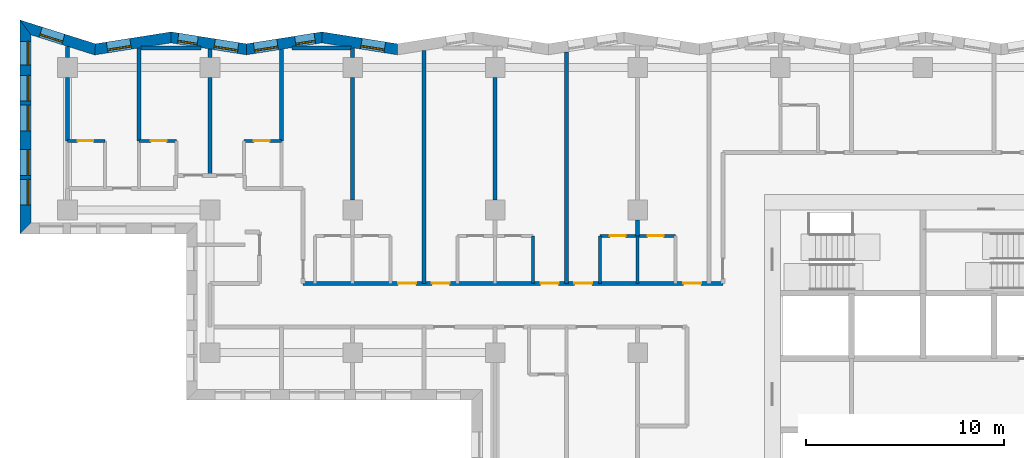
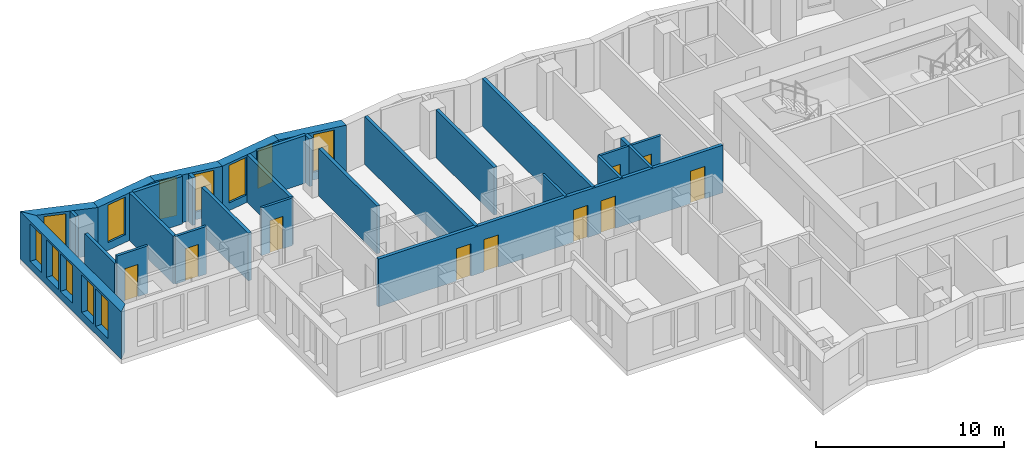
# One storey, part 5 of 13: 28 walls, 12 windows, 10 doors, 22 openings.
"""IFC4 building model written with IfcOpenShell, lengths in metres."""

from ifc_helpers import new_model, si_unit, direction, frame, frame_2d, origin, place, context, subcontext, project, spatial, polyline, rectangle, outline, extrude, material, layer, layer_set, type_object, element, fill, save


model = new_model("IFC4")

# Units and contexts
model_context = context("Model", 3, precision=1e-05, world=origin(), true_north=direction((0.0, 1.0)))
body_context = subcontext(model_context, "Body", "Model", "MODEL_VIEW")
ifc_project = project(units=[si_unit("LENGTHUNIT", "METRE"), si_unit("AREAUNIT", "SQUARE_METRE"), si_unit("VOLUMEUNIT", "CUBIC_METRE"), si_unit("PLANEANGLEUNIT", "RADIAN"), si_unit("MASSUNIT", "GRAM", prefix="KILO")], contexts=[model_context])

# Site, building, storey
site_placement = place(None, origin())
site = spatial("IfcSite", under=ifc_project, at=site_placement, CompositionType="ELEMENT")
building_placement = place(site_placement, origin())
building = spatial("IfcBuilding", under=site, at=building_placement, Name="Windrow Commons", CompositionType="ELEMENT")
storey_placement = place(building_placement, frame((0.0, 0.0, 115.2)))
storey = spatial("IfcBuildingStorey", under=building, at=storey_placement, Name="L31", CompositionType="ELEMENT", Elevation=115.2)

# Wall, opening, window
ifc_material_1 = material(Name="Brick masonry, red clay brick", Category="masonry")
ifc_layer_1 = layer(ifc_material_1, 0.55)
ifc_layer_set_1 = layer_set([ifc_layer_1], Name="Brick facade wall 550")
wall_type_1 = type_object("IfcWallType", Name="Brick facade wall 550", PredefinedType="SOLIDWALL", material=ifc_layer_set_1)
wall_1_placement = place(storey_placement, frame((38.259, 72.9216, 0.0), z_axis=(0.0, 0.0, 1.0), x_axis=(-0.9877213372, 0.1562259905, 0.0)))
wall_1 = element("IfcWall", 1, at=wall_1_placement, inside=storey, type_object=wall_type_1, Name="Brick facade wall L31 32", PredefinedType="SOLIDWALL", context=body_context, shape_type="SweptSolid", body=[
    extrude(outline(polyline([(0.0435, -0.275), (3.9033, -0.275), (3.8163, 0.275), (-0.0435, 0.275), (0.0435, -0.275)])), origin(), (0.0, 0.0, 1.0), 3.1),
])
opening_1_placement = place(wall_1_placement, frame((0.6435, 0.0, 0.5)))
opening_1 = element("IfcOpeningElement", 2, at=opening_1_placement, cuts=wall_1, Name="Opening W7D", PredefinedType="OPENING", context=body_context, shape_type="SweptSolid", body=[
    extrude(rectangle(XDim=1.2, YDim=2.45, at=frame_2d((0.6, 1.225))), frame((0.0, 0.285, 0.0), z_axis=(0.0, -1.0, 0.0), x_axis=(1.0, 0.0, 0.0)), (0.0, 0.0, 1.0), 0.57),
])
ifc_material_2 = material(Name="Clear float glass in anodised aluminium frame", Category="aluminium")
window_type_1 = type_object("IfcWindowType", Name="Window W7 notch 1200x2450", PartitioningType="SINGLE_PANEL", PredefinedType="WINDOW", material=ifc_material_2)
window_1_placement = place(opening_1_placement, origin())
window_1 = element("IfcWindow", 3, at=window_1_placement, inside=storey, type_object=window_type_1, Name="Window L31 32.1", OverallHeight=2.45, OverallWidth=1.2, PartitioningType="SINGLE_PANEL", PredefinedType="WINDOW", context=body_context, shape_type="SweptSolid", body=[
    extrude(rectangle(XDim=1.2, YDim=2.45, at=frame_2d((0.6, 1.225))), frame((0.0, 0.155, 0.0), z_axis=(0.0, -1.0, 0.0), x_axis=(1.0, 0.0, 0.0)), (0.0, 0.0, 1.0), 0.06),
])
fill(opening_1, window_1)

# Wall, openings, windows
wall_2_placement = place(storey_placement, frame((34.4466, 73.5246, 0.0), z_axis=(0.0, 0.0, 1.0), x_axis=(-0.9877213372, -0.1562259905, 0.0)))
wall_2 = element("IfcWall", 4, at=wall_2_placement, inside=storey, type_object=wall_type_1, Name="Brick facade wall L31 33", PredefinedType="SOLIDWALL", context=body_context, shape_type="SweptSolid", body=[
    extrude(outline(polyline([(-0.0435, -0.275), (3.8163, -0.275), (3.9033, 0.275), (0.0435, 0.275), (-0.0435, -0.275)])), origin(), (0.0, 0.0, 1.0), 3.1),
])
opening_2_placement = place(wall_2_placement, frame((2.2659, 0.0, 0.5)))
opening_2 = element("IfcOpeningElement", 5, at=opening_2_placement, cuts=wall_2, Name="Opening W7D", PredefinedType="OPENING", context=body_context, shape_type="SweptSolid", body=[
    extrude(rectangle(XDim=1.2, YDim=2.45, at=frame_2d((0.6, 1.225))), frame((0.0, 0.285, 0.0), z_axis=(0.0, -1.0, 0.0), x_axis=(1.0, 0.0, 0.0)), (0.0, 0.0, 1.0), 0.57),
])
opening_3_placement = place(wall_2_placement, frame((0.36, 0.0, 0.45)))
opening_3 = element("IfcOpeningElement", 6, at=opening_3_placement, cuts=wall_2, Name="Opening W1S", PredefinedType="OPENING", context=body_context, shape_type="SweptSolid", body=[
    extrude(rectangle(XDim=1.0, YDim=2.5, at=frame_2d((0.5, 1.25))), frame((0.0, 0.285, 0.0), z_axis=(0.0, -1.0, 0.0), x_axis=(1.0, 0.0, 0.0)), (0.0, 0.0, 1.0), 0.57),
])
ifc_material_3 = material(Name="Clear float glass in anodised aluminium frame", Category="aluminium")
window_type_2 = type_object("IfcWindowType", Name="Window W1S slit 1000x2500", PartitioningType="SINGLE_PANEL", PredefinedType="WINDOW", material=ifc_material_3)
window_2_placement = place(opening_3_placement, origin())
window_2 = element("IfcWindow", 7, at=window_2_placement, inside=storey, type_object=window_type_2, Name="Window L31 33.1A", OverallHeight=2.5, OverallWidth=1.0, PartitioningType="SINGLE_PANEL", PredefinedType="WINDOW", context=body_context, shape_type="SweptSolid", body=[
    extrude(rectangle(XDim=1.0, YDim=2.5, at=frame_2d((0.5, 1.25))), frame((0.0, 0.155, 0.0), z_axis=(0.0, -1.0, 0.0), x_axis=(1.0, 0.0, 0.0)), (0.0, 0.0, 1.0), 0.06),
])
fill(opening_3, window_2)
window_3_placement = place(opening_2_placement, origin())
window_3 = element("IfcWindow", 8, at=window_3_placement, inside=storey, type_object=window_type_1, Name="Window L31 33.2", OverallHeight=2.45, OverallWidth=1.2, PartitioningType="SINGLE_PANEL", PredefinedType="WINDOW", context=body_context, shape_type="SweptSolid", body=[
    extrude(rectangle(XDim=1.2, YDim=2.45, at=frame_2d((0.6, 1.225))), frame((0.0, 0.155, 0.0), z_axis=(0.0, -1.0, 0.0), x_axis=(1.0, 0.0, 0.0)), (0.0, 0.0, 1.0), 0.06),
])
fill(opening_2, window_3)

wall_3_placement = place(storey_placement, frame((30.6342, 72.9216, 0.0), z_axis=(0.0, 0.0, 1.0), x_axis=(-0.9877213372, 0.1562259905, 0.0)))
wall_3 = element("IfcWall", 9, at=wall_3_placement, inside=storey, type_object=wall_type_1, Name="Brick facade wall L31 34", PredefinedType="SOLIDWALL", context=body_context, shape_type="SweptSolid", body=[
    extrude(outline(polyline([(0.0435, -0.275), (3.9033, -0.275), (3.8163, 0.275), (-0.0435, 0.275), (0.0435, -0.275)])), origin(), (0.0, 0.0, 1.0), 3.1),
])
opening_4_placement = place(wall_3_placement, frame((0.4285, 0.0, 0.5)))
opening_4 = element("IfcOpeningElement", 10, at=opening_4_placement, cuts=wall_3, Name="Opening W7D", PredefinedType="OPENING", context=body_context, shape_type="SweptSolid", body=[
    extrude(rectangle(XDim=1.2, YDim=2.45, at=frame_2d((0.6, 1.225))), frame((0.0, 0.285, 0.0), z_axis=(0.0, -1.0, 0.0), x_axis=(1.0, 0.0, 0.0)), (0.0, 0.0, 1.0), 0.57),
])
opening_5_placement = place(wall_3_placement, frame((2.4999, 0.0, 0.45)))
opening_5 = element("IfcOpeningElement", 11, at=opening_5_placement, cuts=wall_3, Name="Opening W1S", PredefinedType="OPENING", context=body_context, shape_type="SweptSolid", body=[
    extrude(rectangle(XDim=1.0, YDim=2.5, at=frame_2d((0.5, 1.25))), frame((0.0, 0.285, 0.0), z_axis=(0.0, -1.0, 0.0), x_axis=(1.0, 0.0, 0.0)), (0.0, 0.0, 1.0), 0.57),
])
window_4_placement = place(opening_5_placement, origin())
window_4 = element("IfcWindow", 12, at=window_4_placement, inside=storey, type_object=window_type_2, Name="Window L31 34.2A", OverallHeight=2.5, OverallWidth=1.0, PartitioningType="SINGLE_PANEL", PredefinedType="WINDOW", context=body_context, shape_type="SweptSolid", body=[
    extrude(rectangle(XDim=1.0, YDim=2.5, at=frame_2d((0.5, 1.25))), frame((0.0, 0.155, 0.0), z_axis=(0.0, -1.0, 0.0), x_axis=(1.0, 0.0, 0.0)), (0.0, 0.0, 1.0), 0.06),
])
fill(opening_5, window_4)
window_5_placement = place(opening_4_placement, origin())
window_5 = element("IfcWindow", 13, at=window_5_placement, inside=storey, type_object=window_type_1, Name="Window L31 34.1", OverallHeight=2.45, OverallWidth=1.2, PartitioningType="SINGLE_PANEL", PredefinedType="WINDOW", context=body_context, shape_type="SweptSolid", body=[
    extrude(rectangle(XDim=1.2, YDim=2.45, at=frame_2d((0.6, 1.225))), frame((0.0, 0.155, 0.0), z_axis=(0.0, -1.0, 0.0), x_axis=(1.0, 0.0, 0.0)), (0.0, 0.0, 1.0), 0.06),
])
fill(opening_4, window_5)

# Wall, opening, window
wall_4_placement = place(storey_placement, frame((26.8218, 73.5246, 0.0), z_axis=(0.0, 0.0, 1.0), x_axis=(-0.9877221932, -0.1562205785, 0.0)))
wall_4 = element("IfcWall", 14, at=wall_4_placement, inside=storey, type_object=wall_type_1, Name="Brick facade wall L31 35", PredefinedType="SOLIDWALL", context=body_context, shape_type="SweptSolid", body=[
    extrude(outline(polyline([(-0.0435, -0.275), (3.8163, -0.275), (3.9458, 0.275), (0.0435, 0.275), (-0.0435, -0.275)])), origin(), (0.0, 0.0, 1.0), 3.1),
])
opening_6_placement = place(wall_4_placement, frame((2.0615, 0.0, 0.5)))
opening_6 = element("IfcOpeningElement", 15, at=opening_6_placement, cuts=wall_4, Name="Opening W7D", PredefinedType="OPENING", context=body_context, shape_type="SweptSolid", body=[
    extrude(rectangle(XDim=1.2, YDim=2.45, at=frame_2d((0.6, 1.225))), frame((0.0, 0.285, 0.0), z_axis=(0.0, -1.0, 0.0), x_axis=(1.0, 0.0, 0.0)), (0.0, 0.0, 1.0), 0.57),
])
window_6_placement = place(opening_6_placement, origin())
window_6 = element("IfcWindow", 16, at=window_6_placement, inside=storey, type_object=window_type_1, Name="Window L31 35.1", OverallHeight=2.45, OverallWidth=1.2, PartitioningType="SINGLE_PANEL", PredefinedType="WINDOW", context=body_context, shape_type="SweptSolid", body=[
    extrude(rectangle(XDim=1.2, YDim=2.45, at=frame_2d((0.6, 1.225))), frame((0.0, 0.155, 0.0), z_axis=(0.0, -1.0, 0.0), x_axis=(1.0, 0.0, 0.0)), (0.0, 0.0, 1.0), 0.06),
])
fill(opening_6, window_6)

wall_5_placement = place(storey_placement, frame((22.9884, 72.9183, 0.0), z_axis=(0.0, 0.0, 1.0), x_axis=(-0.9536482224, 0.3009236912, 0.0)))
wall_5 = element("IfcWall", 17, at=wall_5_placement, inside=storey, type_object=wall_type_1, Name="Brick facade wall L31 36", PredefinedType="SOLIDWALL", context=body_context, shape_type="SweptSolid", body=[
    extrude(outline(polyline([(0.0648, -0.275), (4.0625, -0.275), (3.3122, 0.275), (-0.0648, 0.275), (0.0648, -0.275)])), origin(), (0.0, 0.0, 1.0), 3.1),
])
opening_7_placement = place(wall_5_placement, frame((1.684, 0.0, 0.5)))
opening_7 = element("IfcOpeningElement", 18, at=opening_7_placement, cuts=wall_5, Name="Opening W7D", PredefinedType="OPENING", context=body_context, shape_type="SweptSolid", body=[
    extrude(rectangle(XDim=1.2, YDim=2.45, at=frame_2d((0.6, 1.225))), frame((0.0, 0.285, 0.0), z_axis=(0.0, -1.0, 0.0), x_axis=(1.0, 0.0, 0.0)), (0.0, 0.0, 1.0), 0.57),
])
window_7_placement = place(opening_7_placement, origin())
window_7 = element("IfcWindow", 19, at=window_7_placement, inside=storey, type_object=window_type_1, Name="Window L31 36.1", OverallHeight=2.45, OverallWidth=1.2, PartitioningType="SINGLE_PANEL", PredefinedType="WINDOW", context=body_context, shape_type="SweptSolid", body=[
    extrude(rectangle(XDim=1.2, YDim=2.45, at=frame_2d((0.6, 1.225))), frame((0.0, 0.155, 0.0), z_axis=(0.0, -1.0, 0.0), x_axis=(1.0, 0.0, 0.0)), (0.0, 0.0, 1.0), 0.06),
])
fill(opening_7, window_7)

# Wall, openings, windows
wall_6_placement = place(storey_placement, frame((19.472, 74.0279, 0.0), z_axis=(0.0, 0.0, 1.0), x_axis=(0.0, -1.0, 0.0)))
wall_6 = element("IfcWall", 20, at=wall_6_placement, inside=storey, type_object=wall_type_1, Name="Brick facade wall L31 37", PredefinedType="SOLIDWALL", context=body_context, shape_type="SweptSolid", body=[
    extrude(outline(polyline([(-0.3751, -0.275), (10.4279, -0.275), (9.8779, 0.275), (0.3751, 0.275), (-0.3751, -0.275)])), origin(), (0.0, 0.0, 1.0), 3.1),
])
opening_8_placement = place(wall_6_placement, frame((2.4279, 0.0, 0.5)))
opening_8 = element("IfcOpeningElement", 21, at=opening_8_placement, cuts=wall_6, Name="Opening W1P", PredefinedType="OPENING", context=body_context, shape_type="SweptSolid", body=[
    extrude(rectangle(XDim=1.3, YDim=2.45, at=frame_2d((0.65, 1.225))), frame((0.0, 0.285, 0.0), z_axis=(0.0, -1.0, 0.0), x_axis=(1.0, 0.0, 0.0)), (0.0, 0.0, 1.0), 0.57),
])
opening_9_placement = place(wall_6_placement, frame((3.9279, 0.0, 0.5)))
opening_9 = element("IfcOpeningElement", 22, at=opening_9_placement, cuts=wall_6, Name="Opening W1P", PredefinedType="OPENING", context=body_context, shape_type="SweptSolid", body=[
    extrude(rectangle(XDim=1.3, YDim=2.45, at=frame_2d((0.65, 1.225))), frame((0.0, 0.285, 0.0), z_axis=(0.0, -1.0, 0.0), x_axis=(1.0, 0.0, 0.0)), (0.0, 0.0, 1.0), 0.57),
])
opening_10_placement = place(wall_6_placement, frame((6.1779, 0.0, 0.5)))
opening_10 = element("IfcOpeningElement", 23, at=opening_10_placement, cuts=wall_6, Name="Opening W1P", PredefinedType="OPENING", context=body_context, shape_type="SweptSolid", body=[
    extrude(rectangle(XDim=1.3, YDim=2.45, at=frame_2d((0.65, 1.225))), frame((0.0, 0.285, 0.0), z_axis=(0.0, -1.0, 0.0), x_axis=(1.0, 0.0, 0.0)), (0.0, 0.0, 1.0), 0.57),
])
opening_11_placement = place(wall_6_placement, frame((7.6779, 0.0, 0.5)))
opening_11 = element("IfcOpeningElement", 24, at=opening_11_placement, cuts=wall_6, Name="Opening W1P", PredefinedType="OPENING", context=body_context, shape_type="SweptSolid", body=[
    extrude(rectangle(XDim=1.3, YDim=2.45, at=frame_2d((0.65, 1.225))), frame((0.0, 0.285, 0.0), z_axis=(0.0, -1.0, 0.0), x_axis=(1.0, 0.0, 0.0)), (0.0, 0.0, 1.0), 0.57),
])
opening_12_placement = place(wall_6_placement, frame((0.7015, 0.0, 0.5)))
opening_12 = element("IfcOpeningElement", 25, at=opening_12_placement, cuts=wall_6, Name="Opening W7D", PredefinedType="OPENING", context=body_context, shape_type="SweptSolid", body=[
    extrude(rectangle(XDim=1.2, YDim=2.45, at=frame_2d((0.6, 1.225))), frame((0.0, 0.285, 0.0), z_axis=(0.0, -1.0, 0.0), x_axis=(1.0, 0.0, 0.0)), (0.0, 0.0, 1.0), 0.57),
])
ifc_material_4 = material(Name="Clear float glass in anodised aluminium frame", Category="aluminium")
window_type_3 = type_object("IfcWindowType", Name="Window W1P pair 1300x2450", PartitioningType="SINGLE_PANEL", PredefinedType="WINDOW", material=ifc_material_4)
window_8_placement = place(opening_8_placement, origin())
window_8 = element("IfcWindow", 26, at=window_8_placement, inside=storey, type_object=window_type_3, Name="Window L31 37.1A", OverallHeight=2.45, OverallWidth=1.3, PartitioningType="SINGLE_PANEL", PredefinedType="WINDOW", context=body_context, shape_type="SweptSolid", body=[
    extrude(rectangle(XDim=1.3, YDim=2.45, at=frame_2d((0.65, 1.225))), frame((0.0, 0.155, 0.0), z_axis=(0.0, -1.0, 0.0), x_axis=(1.0, 0.0, 0.0)), (0.0, 0.0, 1.0), 0.06),
])
fill(opening_8, window_8)
window_9_placement = place(opening_9_placement, origin())
window_9 = element("IfcWindow", 27, at=window_9_placement, inside=storey, type_object=window_type_3, Name="Window L31 37.1B", OverallHeight=2.45, OverallWidth=1.3, PartitioningType="SINGLE_PANEL", PredefinedType="WINDOW", context=body_context, shape_type="SweptSolid", body=[
    extrude(rectangle(XDim=1.3, YDim=2.45, at=frame_2d((0.65, 1.225))), frame((0.0, 0.155, 0.0), z_axis=(0.0, -1.0, 0.0), x_axis=(1.0, 0.0, 0.0)), (0.0, 0.0, 1.0), 0.06),
])
fill(opening_9, window_9)
window_10_placement = place(opening_10_placement, origin())
window_10 = element("IfcWindow", 28, at=window_10_placement, inside=storey, type_object=window_type_3, Name="Window L31 37.2A", OverallHeight=2.45, OverallWidth=1.3, PartitioningType="SINGLE_PANEL", PredefinedType="WINDOW", context=body_context, shape_type="SweptSolid", body=[
    extrude(rectangle(XDim=1.3, YDim=2.45, at=frame_2d((0.65, 1.225))), frame((0.0, 0.155, 0.0), z_axis=(0.0, -1.0, 0.0), x_axis=(1.0, 0.0, 0.0)), (0.0, 0.0, 1.0), 0.06),
])
fill(opening_10, window_10)
window_11_placement = place(opening_11_placement, origin())
window_11 = element("IfcWindow", 29, at=window_11_placement, inside=storey, type_object=window_type_3, Name="Window L31 37.2B", OverallHeight=2.45, OverallWidth=1.3, PartitioningType="SINGLE_PANEL", PredefinedType="WINDOW", context=body_context, shape_type="SweptSolid", body=[
    extrude(rectangle(XDim=1.3, YDim=2.45, at=frame_2d((0.65, 1.225))), frame((0.0, 0.155, 0.0), z_axis=(0.0, -1.0, 0.0), x_axis=(1.0, 0.0, 0.0)), (0.0, 0.0, 1.0), 0.06),
])
fill(opening_11, window_11)
window_12_placement = place(opening_12_placement, origin())
window_12 = element("IfcWindow", 30, at=window_12_placement, inside=storey, type_object=window_type_1, Name="Window L31 37.3", OverallHeight=2.45, OverallWidth=1.2, PartitioningType="SINGLE_PANEL", PredefinedType="WINDOW", context=body_context, shape_type="SweptSolid", body=[
    extrude(rectangle(XDim=1.2, YDim=2.45, at=frame_2d((0.6, 1.225))), frame((0.0, 0.155, 0.0), z_axis=(0.0, -1.0, 0.0), x_axis=(1.0, 0.0, 0.0)), (0.0, 0.0, 1.0), 0.06),
])
fill(opening_12, window_12)

# Wall, openings, doors
ifc_material_5 = material(Name="Blockwork partition", Category="masonry")
ifc_layer_2 = layer(ifc_material_5, 0.2)
ifc_layer_set_2 = layer_set([ifc_layer_2], Name="IW-CORRIDOR-200")
wall_type_2 = type_object("IfcWallType", Name="IW-CORRIDOR-200", PredefinedType="PARTITIONING", material=ifc_layer_set_2)
wall_7_placement = place(storey_placement, frame((33.502, 61.1, 0.0), z_axis=(0.0, 0.0, 1.0), x_axis=(1.0, 0.0, 0.0)))
wall_7 = element("IfcWall", 31, at=wall_7_placement, inside=storey, type_object=wall_type_2, Name="W-L31-W001", PredefinedType="PARTITIONING", context=body_context, shape_type="SweptSolid", body=[
    extrude(rectangle(XDim=21.198, YDim=0.2, at=frame_2d((10.599, 0.0))), origin(), (0.0, 0.0, 1.0), 3.1),
])
opening_13_placement = place(wall_7_placement, frame((4.798, 0.0, 0.0)))
opening_13 = element("IfcOpeningElement", 32, at=opening_13_placement, cuts=wall_7, Name="Opening D109S", PredefinedType="OPENING", context=body_context, shape_type="SweptSolid", body=[
    extrude(rectangle(XDim=0.9, YDim=2.1, at=frame_2d((0.45, 1.05))), frame((0.0, 0.11, 0.0), z_axis=(0.0, -1.0, 0.0), x_axis=(1.0, 0.0, 0.0)), (0.0, 0.0, 1.0), 0.22),
])
opening_14_placement = place(wall_7_placement, frame((6.498, 0.0, 0.0)))
opening_14 = element("IfcOpeningElement", 33, at=opening_14_placement, cuts=wall_7, Name="Opening D109S", PredefinedType="OPENING", context=body_context, shape_type="SweptSolid", body=[
    extrude(rectangle(XDim=0.9, YDim=2.1, at=frame_2d((0.45, 1.05))), frame((0.0, 0.11, 0.0), z_axis=(0.0, -1.0, 0.0), x_axis=(1.0, 0.0, 0.0)), (0.0, 0.0, 1.0), 0.22),
])
opening_15_placement = place(wall_7_placement, frame((11.998, 0.0, 0.0)))
opening_15 = element("IfcOpeningElement", 34, at=opening_15_placement, cuts=wall_7, Name="Opening D109S", PredefinedType="OPENING", context=body_context, shape_type="SweptSolid", body=[
    extrude(rectangle(XDim=0.9, YDim=2.1, at=frame_2d((0.45, 1.05))), frame((0.0, 0.11, 0.0), z_axis=(0.0, -1.0, 0.0), x_axis=(1.0, 0.0, 0.0)), (0.0, 0.0, 1.0), 0.22),
])
opening_16_placement = place(wall_7_placement, frame((13.698, 0.0, 0.0)))
opening_16 = element("IfcOpeningElement", 35, at=opening_16_placement, cuts=wall_7, Name="Opening D109S", PredefinedType="OPENING", context=body_context, shape_type="SweptSolid", body=[
    extrude(rectangle(XDim=0.9, YDim=2.1, at=frame_2d((0.45, 1.05))), frame((0.0, 0.11, 0.0), z_axis=(0.0, -1.0, 0.0), x_axis=(1.0, 0.0, 0.0)), (0.0, 0.0, 1.0), 0.22),
])
opening_17_placement = place(wall_7_placement, frame((19.198, 0.0, 0.0)))
opening_17 = element("IfcOpeningElement", 36, at=opening_17_placement, cuts=wall_7, Name="Opening D109S", PredefinedType="OPENING", context=body_context, shape_type="SweptSolid", body=[
    extrude(rectangle(XDim=0.9, YDim=2.1, at=frame_2d((0.45, 1.05))), frame((0.0, 0.11, 0.0), z_axis=(0.0, -1.0, 0.0), x_axis=(1.0, 0.0, 0.0)), (0.0, 0.0, 1.0), 0.22),
])
ifc_material_6 = material(Name="Timber door leaf", Category="wood")
door_type_1 = type_object("IfcDoorType", Name="DT-BEDROOM-900", OperationType="SINGLE_SWING_LEFT", PredefinedType="DOOR", material=ifc_material_6)
door_1_placement = place(opening_13_placement, origin())
door_1 = element("IfcDoor", 37, at=door_1_placement, inside=storey, type_object=door_type_1, Name="D-L31-D027", OperationType="SINGLE_SWING_RIGHT", OverallHeight=2.1, OverallWidth=0.9, PredefinedType="DOOR", context=body_context, shape_type="SweptSolid", body=[
    extrude(rectangle(XDim=0.9, YDim=2.1, at=frame_2d((0.45, 1.05))), frame((0.0, 0.025, 0.0), z_axis=(0.0, -1.0, 0.0), x_axis=(1.0, 0.0, 0.0)), (0.0, 0.0, 1.0), 0.05),
])
fill(opening_13, door_1)
door_2_placement = place(opening_14_placement, origin())
door_2 = element("IfcDoor", 38, at=door_2_placement, inside=storey, type_object=door_type_1, Name="D-L31-D029", OperationType="SINGLE_SWING_LEFT", OverallHeight=2.1, OverallWidth=0.9, PredefinedType="DOOR", context=body_context, shape_type="SweptSolid", body=[
    extrude(rectangle(XDim=0.9, YDim=2.1, at=frame_2d((0.45, 1.05))), frame((0.0, 0.025, 0.0), z_axis=(0.0, -1.0, 0.0), x_axis=(1.0, 0.0, 0.0)), (0.0, 0.0, 1.0), 0.05),
])
fill(opening_14, door_2)
door_3_placement = place(opening_15_placement, origin())
door_3 = element("IfcDoor", 39, at=door_3_placement, inside=storey, type_object=door_type_1, Name="D-L31-D031", OperationType="SINGLE_SWING_RIGHT", OverallHeight=2.1, OverallWidth=0.9, PredefinedType="DOOR", context=body_context, shape_type="SweptSolid", body=[
    extrude(rectangle(XDim=0.9, YDim=2.1, at=frame_2d((0.45, 1.05))), frame((0.0, 0.025, 0.0), z_axis=(0.0, -1.0, 0.0), x_axis=(1.0, 0.0, 0.0)), (0.0, 0.0, 1.0), 0.05),
])
fill(opening_15, door_3)
door_4_placement = place(opening_16_placement, origin())
door_4 = element("IfcDoor", 40, at=door_4_placement, inside=storey, type_object=door_type_1, Name="D-L31-D033", OperationType="SINGLE_SWING_LEFT", OverallHeight=2.1, OverallWidth=0.9, PredefinedType="DOOR", context=body_context, shape_type="SweptSolid", body=[
    extrude(rectangle(XDim=0.9, YDim=2.1, at=frame_2d((0.45, 1.05))), frame((0.0, 0.025, 0.0), z_axis=(0.0, -1.0, 0.0), x_axis=(1.0, 0.0, 0.0)), (0.0, 0.0, 1.0), 0.05),
])
fill(opening_16, door_4)
door_5_placement = place(opening_17_placement, origin())
door_5 = element("IfcDoor", 41, at=door_5_placement, inside=storey, type_object=door_type_1, Name="D-L31-D035", OperationType="SINGLE_SWING_RIGHT", OverallHeight=2.1, OverallWidth=0.9, PredefinedType="DOOR", context=body_context, shape_type="SweptSolid", body=[
    extrude(rectangle(XDim=0.9, YDim=2.1, at=frame_2d((0.45, 1.05))), frame((0.0, 0.025, 0.0), z_axis=(0.0, -1.0, 0.0), x_axis=(1.0, 0.0, 0.0)), (0.0, 0.0, 1.0), 0.05),
])
fill(opening_17, door_5)

ifc_material_7 = material(Name="Blockwork partition", Category="masonry")
ifc_layer_3 = layer(ifc_material_7, 0.15)
ifc_layer_set_3 = layer_set([ifc_layer_3], Name="IW-ENSUITE-150")
wall_type_3 = type_object("IfcWallType", Name="IW-ENSUITE-150", PredefinedType="PARTITIONING", material=ifc_layer_set_3)
wall_8_placement = place(storey_placement, frame((48.5, 63.5, 0.0), z_axis=(0.0, 0.0, 1.0), x_axis=(1.0, 0.0, 0.0)))
wall_8 = element("IfcWall", 42, at=wall_8_placement, inside=storey, type_object=wall_type_3, Name="W-L31-W054", PredefinedType="PARTITIONING", context=body_context, shape_type="SweptSolid", body=[
    extrude(rectangle(XDim=3.8, YDim=0.15, at=frame_2d((1.9, 0.0))), origin(), (0.0, 0.0, 1.0), 3.1),
])
opening_18_placement = place(wall_8_placement, frame((0.4931, 0.0, 0.0)))
opening_18 = element("IfcOpeningElement", 43, at=opening_18_placement, cuts=wall_8, Name="Opening D208N", PredefinedType="OPENING", context=body_context, shape_type="SweptSolid", body=[
    extrude(rectangle(XDim=0.8, YDim=2.1, at=frame_2d((0.4, 1.05))), frame((0.0, 0.085, 0.0), z_axis=(0.0, -1.0, 0.0), x_axis=(1.0, 0.0, 0.0)), (0.0, 0.0, 1.0), 0.17),
])
opening_19_placement = place(wall_8_placement, frame((2.4021, 0.0, 0.0)))
opening_19 = element("IfcOpeningElement", 44, at=opening_19_placement, cuts=wall_8, Name="Opening D208N", PredefinedType="OPENING", context=body_context, shape_type="SweptSolid", body=[
    extrude(rectangle(XDim=0.8, YDim=2.1, at=frame_2d((0.4, 1.05))), frame((0.0, 0.085, 0.0), z_axis=(0.0, -1.0, 0.0), x_axis=(1.0, 0.0, 0.0)), (0.0, 0.0, 1.0), 0.17),
])
ifc_material_8 = material(Name="Timber door leaf", Category="wood")
door_type_2 = type_object("IfcDoorType", Name="DT-ENSUITE-800", OperationType="SINGLE_SWING_LEFT", PredefinedType="DOOR", material=ifc_material_8)
door_6_placement = place(opening_18_placement, origin())
door_6 = element("IfcDoor", 45, at=door_6_placement, inside=storey, type_object=door_type_2, Name="D-L31-D034", OperationType="SINGLE_SWING_RIGHT", OverallHeight=2.1, OverallWidth=0.8, PredefinedType="DOOR", context=body_context, shape_type="SweptSolid", body=[
    extrude(rectangle(XDim=0.8, YDim=2.1, at=frame_2d((0.4, 1.05))), frame((0.0, 0.025, 0.0), z_axis=(0.0, -1.0, 0.0), x_axis=(1.0, 0.0, 0.0)), (0.0, 0.0, 1.0), 0.05),
])
fill(opening_18, door_6)
door_7_placement = place(opening_19_placement, origin())
door_7 = element("IfcDoor", 46, at=door_7_placement, inside=storey, type_object=door_type_2, Name="D-L31-D036", OperationType="SINGLE_SWING_RIGHT", OverallHeight=2.1, OverallWidth=0.8, PredefinedType="DOOR", context=body_context, shape_type="SweptSolid", body=[
    extrude(rectangle(XDim=0.8, YDim=2.1, at=frame_2d((0.4, 1.05))), frame((0.0, 0.025, 0.0), z_axis=(0.0, -1.0, 0.0), x_axis=(1.0, 0.0, 0.0)), (0.0, 0.0, 1.0), 0.05),
])
fill(opening_19, door_7)

# Walls
for number, where, z_axis, x_axis, name in (
    (47, (45.1, 61.1, 0.0), (0.0, 0.0, 1.0), (0.0, 1.0, 0.0), "W-L31-W093"),
    (48, (48.5, 61.1, 0.0), (0.0, 0.0, 1.0), (0.0, 1.0, 0.0), "W-L31-W096"),
    (49, (50.4, 61.1, 0.0), (0.0, 0.0, 1.0), (0.0, 1.0, 0.0), "W-L31-W097"),
):
    element("IfcWall", number, at=place(storey_placement, frame(where, z_axis=z_axis, x_axis=x_axis)), inside=storey, type_object=wall_type_3, Name=name, PredefinedType="PARTITIONING", context=body_context, shape_type="SweptSolid", body=[
        extrude(rectangle(XDim=2.4, YDim=0.15, at=frame_2d((1.2, 0.0))), origin(), (0.0, 0.0, 1.0), 3.1),
    ])

# Wall, opening, door
wall_9_placement = place(storey_placement, frame((25.2, 68.3, 0.0), z_axis=(0.0, 0.0, 1.0), x_axis=(1.0, 0.0, 0.0)))
wall_9 = element("IfcWall", 50, at=wall_9_placement, inside=storey, type_object=wall_type_3, Name="W-L31-W143", PredefinedType="PARTITIONING", context=body_context, shape_type="SweptSolid", body=[
    extrude(rectangle(XDim=1.9, YDim=0.15, at=frame_2d((0.95, 0.0))), origin(), (0.0, 0.0, 1.0), 3.1),
])
opening_20_placement = place(wall_9_placement, frame((0.6021, 0.0, 0.0)))
opening_20 = element("IfcOpeningElement", 51, at=opening_20_placement, cuts=wall_9, Name="Opening D208N", PredefinedType="OPENING", context=body_context, shape_type="SweptSolid", body=[
    extrude(rectangle(XDim=0.8, YDim=2.1, at=frame_2d((0.4, 1.05))), frame((0.0, 0.085, 0.0), z_axis=(0.0, -1.0, 0.0), x_axis=(1.0, 0.0, 0.0)), (0.0, 0.0, 1.0), 0.17),
])
door_8_placement = place(opening_20_placement, origin())
door_8 = element("IfcDoor", 52, at=door_8_placement, inside=storey, type_object=door_type_2, Name="D-L31-D022", OperationType="SINGLE_SWING_RIGHT", OverallHeight=2.1, OverallWidth=0.8, PredefinedType="DOOR", context=body_context, shape_type="SweptSolid", body=[
    extrude(rectangle(XDim=0.8, YDim=2.1, at=frame_2d((0.4, 1.05))), frame((0.0, 0.025, 0.0), z_axis=(0.0, -1.0, 0.0), x_axis=(1.0, 0.0, 0.0)), (0.0, 0.0, 1.0), 0.05),
])
fill(opening_20, door_8)

wall_10_placement = place(storey_placement, frame((21.6, 68.3, 0.0), z_axis=(0.0, 0.0, 1.0), x_axis=(1.0, 0.0, 0.0)))
wall_10 = element("IfcWall", 53, at=wall_10_placement, inside=storey, type_object=wall_type_3, Name="W-L31-W144", PredefinedType="PARTITIONING", context=body_context, shape_type="SweptSolid", body=[
    extrude(rectangle(XDim=1.9, YDim=0.15, at=frame_2d((0.95, 0.0))), origin(), (0.0, 0.0, 1.0), 3.1),
])
opening_21_placement = place(wall_10_placement, frame((0.5021, 0.0, 0.0)))
opening_21 = element("IfcOpeningElement", 54, at=opening_21_placement, cuts=wall_10, Name="Opening D208N", PredefinedType="OPENING", context=body_context, shape_type="SweptSolid", body=[
    extrude(rectangle(XDim=0.8, YDim=2.1, at=frame_2d((0.4, 1.05))), frame((0.0, 0.085, 0.0), z_axis=(0.0, -1.0, 0.0), x_axis=(1.0, 0.0, 0.0)), (0.0, 0.0, 1.0), 0.17),
])
door_9_placement = place(opening_21_placement, origin())
door_9 = element("IfcDoor", 55, at=door_9_placement, inside=storey, type_object=door_type_2, Name="D-L31-D020", OperationType="SINGLE_SWING_RIGHT", OverallHeight=2.1, OverallWidth=0.8, PredefinedType="DOOR", context=body_context, shape_type="SweptSolid", body=[
    extrude(rectangle(XDim=0.8, YDim=2.1, at=frame_2d((0.4, 1.05))), frame((0.0, 0.025, 0.0), z_axis=(0.0, -1.0, 0.0), x_axis=(1.0, 0.0, 0.0)), (0.0, 0.0, 1.0), 0.05),
])
fill(opening_21, door_9)

wall_11_placement = place(storey_placement, frame((30.5, 68.3, 0.0), z_axis=(0.0, 0.0, 1.0), x_axis=(1.0, 0.0, 0.0)))
wall_11 = element("IfcWall", 56, at=wall_11_placement, inside=storey, type_object=wall_type_3, Name="W-L31-W145", PredefinedType="PARTITIONING", context=body_context, shape_type="SweptSolid", body=[
    extrude(rectangle(XDim=1.9, YDim=0.15, at=frame_2d((0.95, 0.0))), origin(), (0.0, 0.0, 1.0), 3.1),
])
opening_22_placement = place(wall_11_placement, frame((0.5072, 0.0, 0.0)))
opening_22 = element("IfcOpeningElement", 57, at=opening_22_placement, cuts=wall_11, Name="Opening D208N", PredefinedType="OPENING", context=body_context, shape_type="SweptSolid", body=[
    extrude(rectangle(XDim=0.8, YDim=2.1, at=frame_2d((0.4, 1.05))), frame((0.0, 0.085, 0.0), z_axis=(0.0, -1.0, 0.0), x_axis=(1.0, 0.0, 0.0)), (0.0, 0.0, 1.0), 0.17),
])
door_10_placement = place(opening_22_placement, origin())
door_10 = element("IfcDoor", 58, at=door_10_placement, inside=storey, type_object=door_type_2, Name="D-L31-D024", OperationType="SINGLE_SWING_RIGHT", OverallHeight=2.1, OverallWidth=0.8, PredefinedType="DOOR", context=body_context, shape_type="SweptSolid", body=[
    extrude(rectangle(XDim=0.8, YDim=2.1, at=frame_2d((0.4, 1.05))), frame((0.0, 0.025, 0.0), z_axis=(0.0, -1.0, 0.0), x_axis=(1.0, 0.0, 0.0)), (0.0, 0.0, 1.0), 0.05),
])
fill(opening_22, door_10)

# Walls
ifc_material_9 = material(Name="Blockwork partition", Category="masonry")
ifc_layer_4 = layer(ifc_material_9, 0.2)
ifc_layer_set_4 = layer_set([ifc_layer_4], Name="IW-PARTY-200")
wall_type_4 = type_object("IfcWallType", Name="IW-PARTY-200", PredefinedType="PARTITIONING", material=ifc_layer_set_4)
wall_12_placement = place(storey_placement, frame((39.6, 61.1, 0.0), z_axis=(0.0, 0.0, 1.0), x_axis=(0.0, 1.0, 0.0)))
element("IfcWall", 59, at=wall_12_placement, inside=storey, type_object=wall_type_4, Name="W-L31-W005", PredefinedType="PARTITIONING", context=body_context, shape_type="SweptSolid", body=[
    extrude(rectangle(XDim=11.7553, YDim=0.2, at=frame_2d((5.8777, 0.0))), origin(), (0.0, 0.0, 1.0), 3.1),
])
wall_13_placement = place(storey_placement, frame((46.8, 61.1, 0.0), z_axis=(0.0, 0.0, 1.0), x_axis=(0.0, 1.0, 0.0)))
element("IfcWall", 60, at=wall_13_placement, inside=storey, type_object=wall_type_4, Name="W-L31-W006", PredefinedType="PARTITIONING", context=body_context, shape_type="SweptSolid", body=[
    extrude(rectangle(XDim=11.6881, YDim=0.2, at=frame_2d((5.8441, 0.0))), origin(), (0.0, 0.0, 1.0), 3.1),
])
for number, where, z_axis, x_axis, name in (
    (61, (36.0, 65.3, 0.0), (0.0, 0.0, 1.0), (0.0, 1.0, 0.0), "W-L31-W027"),
    (62, (43.2, 65.3, 0.0), (0.0, 0.0, 1.0), (0.0, 1.0, 0.0), "W-L31-W029"),
):
    element("IfcWall", number, at=place(storey_placement, frame(where, z_axis=z_axis, x_axis=x_axis)), inside=storey, type_object=wall_type_4, Name=name, PredefinedType="PARTITIONING", context=body_context, shape_type="SweptSolid", body=[
        extrude(rectangle(XDim=6.2, YDim=0.2, at=frame_2d((3.1, 0.0))), origin(), (0.0, 0.0, 1.0), 3.1),
    ])
wall_14_placement = place(storey_placement, frame((28.8, 66.55, 0.0), z_axis=(0.0, 0.0, 1.0), x_axis=(0.0, 1.0, 0.0)))
element("IfcWall", 63, at=wall_14_placement, inside=storey, type_object=wall_type_4, Name="W-L31-W042", PredefinedType="PARTITIONING", context=body_context, shape_type="SweptSolid", body=[
    extrude(rectangle(XDim=4.95, YDim=0.2, at=frame_2d((2.475, 0.0))), origin(), (0.0, 0.0, 1.0), 3.1),
])
wall_15_placement = place(storey_placement, frame((25.2, 68.3, 0.0), z_axis=(0.0, 0.0, 1.0), x_axis=(0.0, 1.0, 0.0)))
element("IfcWall", 64, at=wall_15_placement, inside=storey, type_object=wall_type_4, Name="W-L31-W046", PredefinedType="PARTITIONING", context=body_context, shape_type="SweptSolid", body=[
    extrude(rectangle(XDim=4.6896, YDim=0.2, at=frame_2d((2.3448, 0.0))), origin(), (0.0, 0.0, 1.0), 3.1),
])
wall_16_placement = place(storey_placement, frame((32.4, 68.3, 0.0), z_axis=(0.0, 0.0, 1.0), x_axis=(0.0, 1.0, 0.0)))
element("IfcWall", 65, at=wall_16_placement, inside=storey, type_object=wall_type_4, Name="W-L31-W047", PredefinedType="PARTITIONING", context=body_context, shape_type="SweptSolid", body=[
    extrude(rectangle(XDim=4.6225, YDim=0.2, at=frame_2d((2.3112, 0.0))), origin(), (0.0, 0.0, 1.0), 3.1),
])
wall_17_placement = place(storey_placement, frame((21.6, 68.3, 0.0), z_axis=(0.0, 0.0, 1.0), x_axis=(0.0, 1.0, 0.0)))
element("IfcWall", 66, at=wall_17_placement, inside=storey, type_object=wall_type_4, Name="W-L31-W058", PredefinedType="PARTITIONING", context=body_context, shape_type="SweptSolid", body=[
    extrude(rectangle(XDim=3.2, YDim=0.2, at=frame_2d((1.6, 0.0))), origin(), (0.0, 0.0, 1.0), 2.6),
])
for number, where, z_axis, x_axis, name in (
    (67, (25.3155, 73.0, 0.0), (0.0, 0.0, 1.0), (1.0, 0.0, 0.0), "W-L31-W063"),
    (68, (32.9403, 73.0, 0.0), (0.0, 0.0, 1.0), (1.0, 0.0, 0.0), "W-L31-W064"),
):
    element("IfcWall", number, at=place(storey_placement, frame(where, z_axis=z_axis, x_axis=x_axis)), inside=storey, type_object=wall_type_4, Name=name, PredefinedType="PARTITIONING", context=body_context, shape_type="SweptSolid", body=[
        extrude(rectangle(XDim=3.0126, YDim=0.2, at=frame_2d((1.5063, 0.0))), origin(), (0.0, 0.0, 1.0), 3.1),
    ])
wall_18_placement = place(storey_placement, frame((50.4, 63.5, 0.0), z_axis=(0.0, 0.0, 1.0), x_axis=(0.0, 1.0, 0.0)))
element("IfcWall", 69, at=wall_18_placement, inside=storey, type_object=wall_type_4, Name="W-L31-W178", PredefinedType="PARTITIONING", context=body_context, shape_type="SweptSolid", body=[
    extrude(rectangle(XDim=0.8, YDim=0.2, at=frame_2d((0.4, 0.0))), origin(), (0.0, 0.0, 1.0), 3.1),
])
wall_19_placement = place(storey_placement, frame((21.6, 72.5, 0.0), z_axis=(0.0, 0.0, 1.0), x_axis=(0.0, 1.0, 0.0)))
element("IfcWall", 70, at=wall_19_placement, inside=storey, type_object=wall_type_4, Name="W-L31-W198", PredefinedType="PARTITIONING", context=body_context, shape_type="SweptSolid", body=[
    extrude(rectangle(XDim=0.568, YDim=0.2, at=frame_2d((0.284, 0.0))), origin(), (0.0, 0.0, 1.0), 3.1),
])
wall_20_placement = place(storey_placement, frame((36.0, 72.5, 0.0), z_axis=(0.0, 0.0, 1.0), x_axis=(0.0, 1.0, 0.0)))
element("IfcWall", 71, at=wall_20_placement, inside=storey, type_object=wall_type_4, Name="W-L31-W209", PredefinedType="PARTITIONING", context=body_context, shape_type="SweptSolid", body=[
    extrude(rectangle(XDim=0.5005, YDim=0.2, at=frame_2d((0.2502, 0.0))), origin(), (0.0, 0.0, 1.0), 3.1),
])
wall_21_placement = place(storey_placement, frame((28.8, 72.5, 0.0), z_axis=(0.0, 0.0, 1.0), x_axis=(0.0, 1.0, 0.0)))
element("IfcWall", 72, at=wall_21_placement, inside=storey, type_object=wall_type_4, Name="W-L31-W214", PredefinedType="PARTITIONING", context=body_context, shape_type="SweptSolid", body=[
    extrude(rectangle(XDim=0.4333, YDim=0.2, at=frame_2d((0.2167, 0.0))), origin(), (0.0, 0.0, 1.0), 3.1),
])

save(model, "model.ifc")
